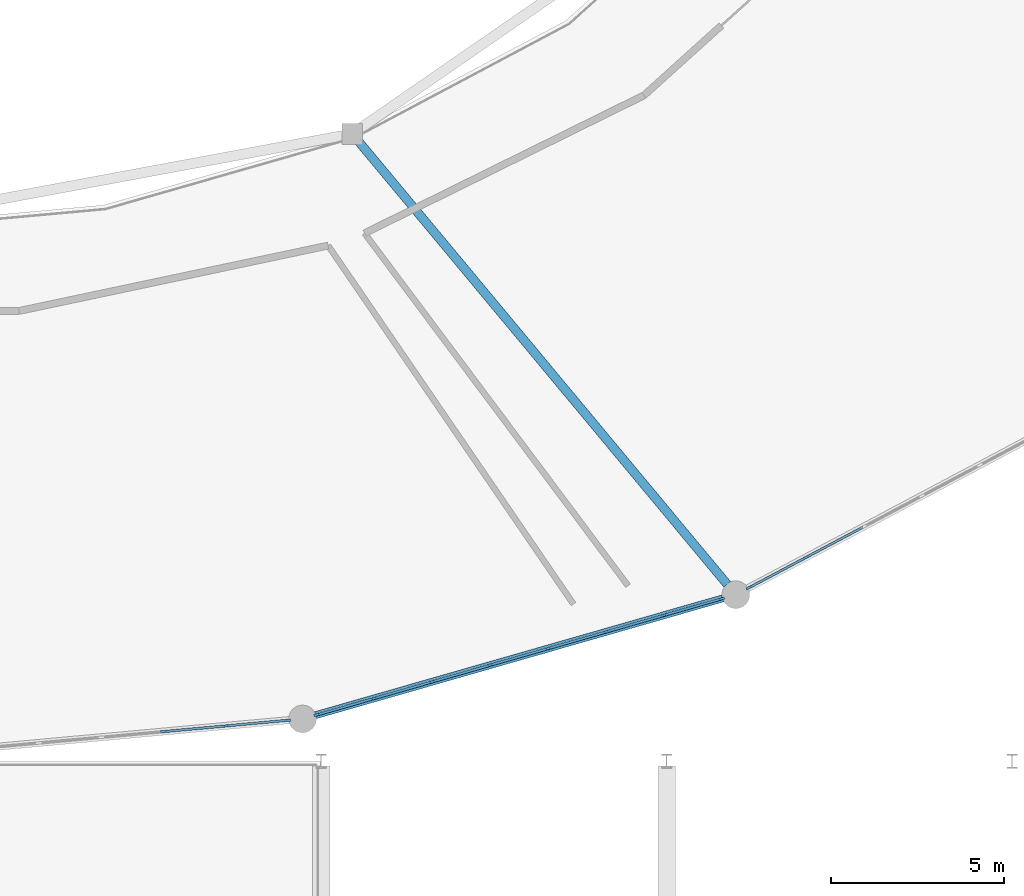
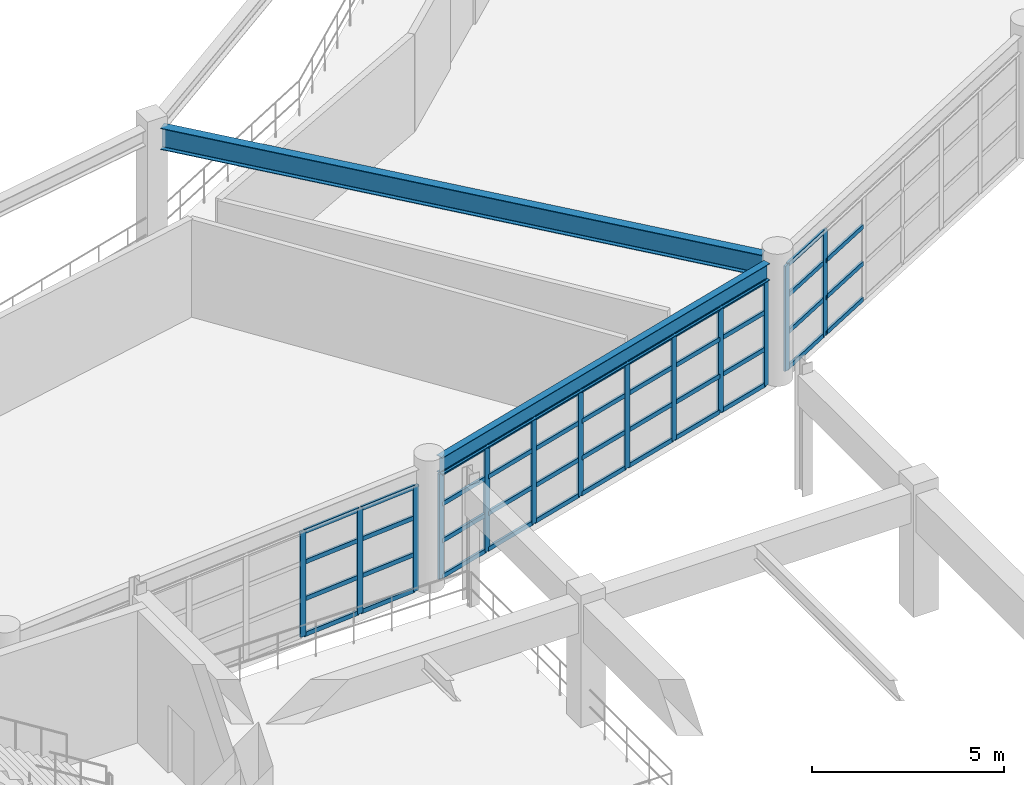
# One storey, part 29 of 100: 56 members, 2 beams, 3 elements without a shape of their own.
"""IFC4 building model written with IfcOpenShell, lengths in metres."""

from ifc_helpers import new_model, si_unit, direction, frame, origin, origin_2d, place, context, subcontext, project, spatial, rectangle, i_section, extrude, material, layer, layer_set, material_profile, profile_set, type_object, element, aggregate, save


model = new_model("IFC4")

# Units and contexts
model_context = context("Model", 3, precision=1e-05, world=origin(), true_north=direction((0.0, 1.0)))
body_context = subcontext(model_context, "Body", "Model", "MODEL_VIEW")
ifc_project = project(units=[si_unit("LENGTHUNIT", "METRE"), si_unit("AREAUNIT", "SQUARE_METRE"), si_unit("VOLUMEUNIT", "CUBIC_METRE"), si_unit("PLANEANGLEUNIT", "RADIAN"), si_unit("MASSUNIT", "GRAM", prefix="KILO")], contexts=[model_context])

# Site, building, storey
site_placement = place(None, origin())
site = spatial("IfcSite", under=ifc_project, at=site_placement, CompositionType="ELEMENT")
building_placement = place(site_placement, origin())
building = spatial("IfcBuilding", under=site, at=building_placement, Name="Kivolera Central Railway Station", CompositionType="ELEMENT")
storey_placement = place(building_placement, frame((0.0, 0.0, 5.39990234375)))
storey = spatial("IfcBuildingStorey", under=building, at=storey_placement, Name="L01", CompositionType="ELEMENT", Elevation=5.39990234375)

# Beams
ifc_material_1 = material(Name="Steel S355", Category="steel")
ifc_material_profile_1 = material_profile(ifc_material_1, i_section(OverallWidth=0.209228515625, OverallDepth=0.533203125, WebThickness=0.010009765625, FlangeThickness=0.015625, FilletRadius=0.0126953125, at=origin_2d()), Name="UB 533x210x92")
ifc_profile_set_1 = profile_set([ifc_material_profile_1], Name="Steel S355")
beam_type_1 = type_object("IfcBeamType", Name="BM-SHD-UB533", PredefinedType="BEAM", material=ifc_profile_set_1)
beam_1_placement = place(storey_placement, frame((77.833984375, 55.333984375, 3.611083984375), z_axis=(0.961238780007, 0.275717260631, 0.0), x_axis=(-0.275717260631, 0.961238780007, 0.0)))
element("IfcBeam", 1, at=beam_1_placement, inside=storey, type_object=beam_type_1, Name="L01 Oval Perimeter Ring Beam 20", PredefinedType="BEAM", context=body_context, shape_type="SweptSolid", body=[
    extrude(i_section(OverallWidth=0.209228515625, OverallDepth=0.533203125, WebThickness=0.010009765625, FlangeThickness=0.015625, FilletRadius=0.0126953125, at=origin_2d()), origin(), (0.0, 0.0, 1.0), 12.266357421875),
])
ifc_material_profile_2 = material_profile(ifc_material_1, i_section(OverallWidth=0.253662109375, OverallDepth=0.68359375, WebThickness=0.012451171875, FlangeThickness=0.01904296875, FilletRadius=0.01513671875, at=origin_2d()), Name="UB 686x254x140")
ifc_profile_set_2 = profile_set([ifc_material_profile_2], Name="Steel S355")
beam_type_2 = type_object("IfcBeamType", Name="BM-SHD-UB686", PredefinedType="BEAM", material=ifc_profile_set_2)
beam_2_placement = place(storey_placement, frame((79.0869140625, 71.93603515625, 3.5361328125), z_axis=(0.639708903431, -0.76861727724, 0.0), x_axis=(0.76861727724, 0.639708903431, 0.0)))
element("IfcBeam", 2, at=beam_2_placement, inside=storey, type_object=beam_type_2, Name="L01 Oval Gallery Radial Girder 11", PredefinedType="BEAM", context=body_context, shape_type="SweptSolid", body=[
    extrude(i_section(OverallWidth=0.253662109375, OverallDepth=0.68359375, WebThickness=0.012451171875, FlangeThickness=0.01904296875, FilletRadius=0.01513671875, at=origin_2d()), origin(), (0.0, 0.0, 1.0), 16.670166015625),
])

# Curtain wall, members
ifc_material_2 = material(Name="Anodised aluminium", Category="aluminium")
ifc_layer_1 = layer(ifc_material_2, 0.179931640625, Name="Anodised aluminium")
ifc_layer_set_1 = layer_set([ifc_layer_1], Name="Anodised aluminium")
curtain_wall_type_1 = type_object("IfcCurtainWallType", Name="CW-SYS-12", PredefinedType="NOTDEFINED", material=ifc_layer_set_1)
curtain_wall_1_placement = place(storey_placement, origin())
curtain_wall_1 = element("IfcCurtainWall", 3, at=curtain_wall_1_placement, inside=storey, type_object=curtain_wall_type_1, Name="L01 Curtain Wall CW-L01-OVL-18", PredefinedType="NOTDEFINED")
ifc_material_profile_3 = material_profile(ifc_material_2, rectangle(XDim=0.070068359375, YDim=0.179931640625, at=origin_2d()), Name="ALU MULL 70x180")
ifc_profile_set_3 = profile_set([ifc_material_profile_3], Name="Anodised aluminium")
member_type_1 = type_object("IfcMemberType", Name="CWM-MUL-1", PredefinedType="MULLION", material=ifc_profile_set_3)
member_1_placement = place(storey_placement, frame((77.026123046875, 55.187744140625, -0.0048828125), z_axis=(0.0, 0.0, 1.0), x_axis=(0.090833556942, -0.995866087852, 0.0)))
member_1 = element("IfcMember", 4, at=member_1_placement, type_object=member_type_1, Name="CW-12 mullion 1", PredefinedType="MULLION", context=body_context, shape_type="SweptSolid", body=[
    extrude(rectangle(XDim=0.070068359375, YDim=0.179931640625, at=origin_2d()), origin(), (0.0, 0.0, 1.0), 3.344970703125),
])
member_2_placement = place(storey_placement, frame((75.251953125, 55.02587890625, -0.0048828125), z_axis=(0.0, 0.0, 1.0), x_axis=(0.090833556942, -0.995866087852, 0.0)))
member_2 = element("IfcMember", 5, at=member_2_placement, type_object=member_type_1, Name="CW-12 mullion 2", PredefinedType="MULLION", context=body_context, shape_type="SweptSolid", body=[
    extrude(rectangle(XDim=0.070068359375, YDim=0.179931640625, at=origin_2d()), origin(), (0.0, 0.0, 1.0), 3.344970703125),
])
member_3_placement = place(storey_placement, frame((73.443115234375, 54.861083984375, -0.0048828125), z_axis=(0.0, 0.0, 1.0), x_axis=(0.090833556942, -0.995866087852, 0.0)))
member_3 = element("IfcMember", 6, at=member_3_placement, type_object=member_type_1, Name="CW-12 mullion 3", PredefinedType="MULLION", context=body_context, shape_type="SweptSolid", body=[
    extrude(rectangle(XDim=0.070068359375, YDim=0.179931640625, at=origin_2d()), origin(), (0.0, 0.0, 1.0), 3.344970703125),
])

ifc_layer_2 = layer(ifc_material_2, 0.179931640625, Name="Anodised aluminium")
ifc_layer_set_2 = layer_set([ifc_layer_2], Name="Anodised aluminium")
curtain_wall_type_2 = type_object("IfcCurtainWallType", Name="CW-SYS-10", PredefinedType="NOTDEFINED", material=ifc_layer_set_2)
curtain_wall_2_placement = place(storey_placement, origin())
curtain_wall_2 = element("IfcCurtainWall", 7, at=curtain_wall_2_placement, inside=storey, type_object=curtain_wall_type_2, Name="L01 Curtain Wall CW-L01-OVL-19", PredefinedType="NOTDEFINED")
member_4_placement = place(storey_placement, frame((89.581298828125, 58.703369140625, -0.0048828125), z_axis=(0.0, 0.0, 1.0), x_axis=(0.27569168989, -0.961246114232, 0.0)))
member_4 = element("IfcMember", 8, at=member_4_placement, type_object=member_type_1, Name="CW-10 mullion 1", PredefinedType="MULLION", context=body_context, shape_type="SweptSolid", body=[
    extrude(rectangle(XDim=0.070068359375, YDim=0.179931640625, at=origin_2d()), origin(), (0.0, 0.0, 1.0), 3.344970703125),
])
member_5_placement = place(storey_placement, frame((87.933349609375, 58.230712890625, -0.0048828125), z_axis=(0.0, 0.0, 1.0), x_axis=(0.27569168989, -0.961246114232, 0.0)))
member_5 = element("IfcMember", 9, at=member_5_placement, type_object=member_type_1, Name="CW-10 mullion 2", PredefinedType="MULLION", context=body_context, shape_type="SweptSolid", body=[
    extrude(rectangle(XDim=0.070068359375, YDim=0.179931640625, at=origin_2d()), origin(), (0.0, 0.0, 1.0), 3.344970703125),
])
member_6_placement = place(storey_placement, frame((86.251953125, 57.74853515625, -0.0048828125), z_axis=(0.0, 0.0, 1.0), x_axis=(0.27569168989, -0.961246114232, 0.0)))
member_6 = element("IfcMember", 10, at=member_6_placement, type_object=member_type_1, Name="CW-10 mullion 3", PredefinedType="MULLION", context=body_context, shape_type="SweptSolid", body=[
    extrude(rectangle(XDim=0.070068359375, YDim=0.179931640625, at=origin_2d()), origin(), (0.0, 0.0, 1.0), 3.344970703125),
])
member_7_placement = place(storey_placement, frame((84.5703125, 57.26611328125, -0.0048828125), z_axis=(0.0, 0.0, 1.0), x_axis=(0.27569168989, -0.961246114232, 0.0)))
member_7 = element("IfcMember", 11, at=member_7_placement, type_object=member_type_1, Name="CW-10 mullion 4", PredefinedType="MULLION", context=body_context, shape_type="SweptSolid", body=[
    extrude(rectangle(XDim=0.070068359375, YDim=0.179931640625, at=origin_2d()), origin(), (0.0, 0.0, 1.0), 3.344970703125),
])
member_8_placement = place(storey_placement, frame((82.888671875, 56.783935546875, -0.0048828125), z_axis=(0.0, 0.0, 1.0), x_axis=(0.27569168989, -0.961246114232, 0.0)))
member_8 = element("IfcMember", 12, at=member_8_placement, type_object=member_type_1, Name="CW-10 mullion 5", PredefinedType="MULLION", context=body_context, shape_type="SweptSolid", body=[
    extrude(rectangle(XDim=0.070068359375, YDim=0.179931640625, at=origin_2d()), origin(), (0.0, 0.0, 1.0), 3.344970703125),
])
member_9_placement = place(storey_placement, frame((81.20703125, 56.301513671875, -0.0048828125), z_axis=(0.0, 0.0, 1.0), x_axis=(0.27569168989, -0.961246114232, 0.0)))
member_9 = element("IfcMember", 13, at=member_9_placement, type_object=member_type_1, Name="CW-10 mullion 6", PredefinedType="MULLION", context=body_context, shape_type="SweptSolid", body=[
    extrude(rectangle(XDim=0.070068359375, YDim=0.179931640625, at=origin_2d()), origin(), (0.0, 0.0, 1.0), 3.344970703125),
])
member_10_placement = place(storey_placement, frame((79.525634765625, 55.8193359375, -0.0048828125), z_axis=(0.0, 0.0, 1.0), x_axis=(0.27569168989, -0.961246114232, 0.0)))
member_10 = element("IfcMember", 14, at=member_10_placement, type_object=member_type_1, Name="CW-10 mullion 7", PredefinedType="MULLION", context=body_context, shape_type="SweptSolid", body=[
    extrude(rectangle(XDim=0.070068359375, YDim=0.179931640625, at=origin_2d()), origin(), (0.0, 0.0, 1.0), 3.344970703125),
])
member_11_placement = place(storey_placement, frame((77.877685546875, 55.3466796875, -0.0048828125), z_axis=(0.0, 0.0, 1.0), x_axis=(0.27569168989, -0.961246114232, 0.0)))
member_11 = element("IfcMember", 15, at=member_11_placement, type_object=member_type_1, Name="CW-10 mullion 8", PredefinedType="MULLION", context=body_context, shape_type="SweptSolid", body=[
    extrude(rectangle(XDim=0.070068359375, YDim=0.179931640625, at=origin_2d()), origin(), (0.0, 0.0, 1.0), 3.344970703125),
])

ifc_layer_3 = layer(ifc_material_2, 0.179931640625, Name="Anodised aluminium")
ifc_layer_set_3 = layer_set([ifc_layer_3], Name="Anodised aluminium")
curtain_wall_type_3 = type_object("IfcCurtainWallType", Name="CW-SYS-08", PredefinedType="NOTDEFINED", material=ifc_layer_set_3)
curtain_wall_3_placement = place(storey_placement, origin())
curtain_wall_3 = element("IfcCurtainWall", 16, at=curtain_wall_3_placement, inside=storey, type_object=curtain_wall_type_3, Name="L01 Curtain Wall CW-L01-OVL-20", PredefinedType="NOTDEFINED")
member_12_placement = place(storey_placement, frame((92.0302734375, 59.90185546875, -0.0048828125), z_axis=(0.0, 0.0, 1.0), x_axis=(0.469052563023, -0.883170251493, 0.0)))
member_12 = element("IfcMember", 17, at=member_12_placement, type_object=member_type_1, Name="CW-08 mullion 6", PredefinedType="MULLION", context=body_context, shape_type="SweptSolid", body=[
    extrude(rectangle(XDim=0.070068359375, YDim=0.179931640625, at=origin_2d()), origin(), (0.0, 0.0, 1.0), 3.344970703125),
])
member_13_placement = place(storey_placement, frame((90.3837890625, 59.02734375, -0.0048828125), z_axis=(0.0, 0.0, 1.0), x_axis=(0.469052563023, -0.883170251493, 0.0)))
member_13 = element("IfcMember", 18, at=member_13_placement, type_object=member_type_1, Name="CW-08 mullion 7", PredefinedType="MULLION", context=body_context, shape_type="SweptSolid", body=[
    extrude(rectangle(XDim=0.070068359375, YDim=0.179931640625, at=origin_2d()), origin(), (0.0, 0.0, 1.0), 3.344970703125),
])

# Member
ifc_material_profile_4 = material_profile(ifc_material_2, rectangle(XDim=0.070068359375, YDim=0.139892578125, at=origin_2d()), Name="ALU TRAN 70x140")
ifc_profile_set_4 = profile_set([ifc_material_profile_4], Name="Anodised aluminium")
member_type_2 = type_object("IfcMemberType", Name="CWM-TRN-1", PredefinedType="USERDEFINED", material=ifc_profile_set_4)
member_14_placement = place(storey_placement, frame((76.9912109375, 55.1845703125, 0.03515625), z_axis=(-0.995875648211, -0.090728679596, 0.0), x_axis=(0.090728679596, -0.995875648211, 0.0)))
member_14 = element("IfcMember", 19, at=member_14_placement, type_object=member_type_2, Name="CW-12 transom 1.1", ObjectType="TRANSOM", PredefinedType="USERDEFINED", context=body_context, shape_type="SweptSolid", body=[
    extrude(rectangle(XDim=0.070068359375, YDim=0.139892578125, at=origin_2d()), origin(), (0.0, 0.0, 1.0), 1.71142578125),
])

member_15_placement = place(storey_placement, frame((76.9912109375, 55.1845703125, 1.169189453125), z_axis=(-0.995875648211, -0.090728679596, 0.0), x_axis=(0.090728679596, -0.995875648211, 0.0)))
member_15 = element("IfcMember", 20, at=member_15_placement, type_object=member_type_2, Name="CW-12 transom 1.2", ObjectType="TRANSOM", PredefinedType="USERDEFINED", context=body_context, shape_type="SweptSolid", body=[
    extrude(rectangle(XDim=0.070068359375, YDim=0.139892578125, at=origin_2d()), origin(), (0.0, 0.0, 1.0), 1.71142578125),
])

member_16_placement = place(storey_placement, frame((76.9912109375, 55.1845703125, 2.338134765625), z_axis=(-0.995875648211, -0.090728679596, 0.0), x_axis=(0.090728679596, -0.995875648211, 0.0)))
member_16 = element("IfcMember", 21, at=member_16_placement, type_object=member_type_2, Name="CW-12 transom 1.3", ObjectType="TRANSOM", PredefinedType="USERDEFINED", context=body_context, shape_type="SweptSolid", body=[
    extrude(rectangle(XDim=0.070068359375, YDim=0.139892578125, at=origin_2d()), origin(), (0.0, 0.0, 1.0), 1.71142578125),
])

member_17_placement = place(storey_placement, frame((76.9912109375, 55.1845703125, 3.30517578125), z_axis=(-0.995875648211, -0.090728679596, 0.0), x_axis=(0.090728679596, -0.995875648211, 0.0)))
member_17 = element("IfcMember", 22, at=member_17_placement, type_object=member_type_2, Name="CW-12 transom 1.4", ObjectType="TRANSOM", PredefinedType="USERDEFINED", context=body_context, shape_type="SweptSolid", body=[
    extrude(rectangle(XDim=0.070068359375, YDim=0.139892578125, at=origin_2d()), origin(), (0.0, 0.0, 1.0), 1.71142578125),
])

member_18_placement = place(storey_placement, frame((75.217041015625, 55.022705078125, 0.03515625), z_axis=(-0.995876001019, -0.090724806943, 0.0), x_axis=(0.090724806943, -0.995876001019, 0.0)))
member_18 = element("IfcMember", 23, at=member_18_placement, type_object=member_type_2, Name="CW-12 transom 2.1", ObjectType="TRANSOM", PredefinedType="USERDEFINED", context=body_context, shape_type="SweptSolid", body=[
    extrude(rectangle(XDim=0.070068359375, YDim=0.139892578125, at=origin_2d()), origin(), (0.0, 0.0, 1.0), 1.74658203125),
])

member_19_placement = place(storey_placement, frame((75.217041015625, 55.022705078125, 1.169189453125), z_axis=(-0.995876001019, -0.090724806943, 0.0), x_axis=(0.090724806943, -0.995876001019, 0.0)))
member_19 = element("IfcMember", 24, at=member_19_placement, type_object=member_type_2, Name="CW-12 transom 2.2", ObjectType="TRANSOM", PredefinedType="USERDEFINED", context=body_context, shape_type="SweptSolid", body=[
    extrude(rectangle(XDim=0.070068359375, YDim=0.139892578125, at=origin_2d()), origin(), (0.0, 0.0, 1.0), 1.74658203125),
])

member_20_placement = place(storey_placement, frame((75.217041015625, 55.022705078125, 2.338134765625), z_axis=(-0.995876001019, -0.090724806943, 0.0), x_axis=(0.090724806943, -0.995876001019, 0.0)))
member_20 = element("IfcMember", 25, at=member_20_placement, type_object=member_type_2, Name="CW-12 transom 2.3", ObjectType="TRANSOM", PredefinedType="USERDEFINED", context=body_context, shape_type="SweptSolid", body=[
    extrude(rectangle(XDim=0.070068359375, YDim=0.139892578125, at=origin_2d()), origin(), (0.0, 0.0, 1.0), 1.74658203125),
])

member_21_placement = place(storey_placement, frame((75.217041015625, 55.022705078125, 3.30517578125), z_axis=(-0.995876001019, -0.090724806943, 0.0), x_axis=(0.090724806943, -0.995876001019, 0.0)))
member_21 = element("IfcMember", 26, at=member_21_placement, type_object=member_type_2, Name="CW-12 transom 2.4", ObjectType="TRANSOM", PredefinedType="USERDEFINED", context=body_context, shape_type="SweptSolid", body=[
    extrude(rectangle(XDim=0.070068359375, YDim=0.139892578125, at=origin_2d()), origin(), (0.0, 0.0, 1.0), 1.74658203125),
])

aggregate(curtain_wall_1, [member_1, member_2, member_3, member_14, member_15, member_16, member_17, member_18, member_19, member_20, member_21])

member_22_placement = place(storey_placement, frame((89.547607421875, 58.693603515625, 0.03515625), z_axis=(-0.961277023143, -0.275583897892, 0.0), x_axis=(0.275583897892, -0.961277023143, 0.0)))
member_22 = element("IfcMember", 27, at=member_22_placement, type_object=member_type_2, Name="CW-10 transom 1.1", ObjectType="TRANSOM", PredefinedType="USERDEFINED", context=body_context, shape_type="SweptSolid", body=[
    extrude(rectangle(XDim=0.070068359375, YDim=0.139892578125, at=origin_2d()), origin(), (0.0, 0.0, 1.0), 1.644287109375),
])

member_23_placement = place(storey_placement, frame((89.547607421875, 58.693603515625, 1.169189453125), z_axis=(-0.961277023143, -0.275583897892, 0.0), x_axis=(0.275583897892, -0.961277023143, 0.0)))
member_23 = element("IfcMember", 28, at=member_23_placement, type_object=member_type_2, Name="CW-10 transom 1.2", ObjectType="TRANSOM", PredefinedType="USERDEFINED", context=body_context, shape_type="SweptSolid", body=[
    extrude(rectangle(XDim=0.070068359375, YDim=0.139892578125, at=origin_2d()), origin(), (0.0, 0.0, 1.0), 1.644287109375),
])

member_24_placement = place(storey_placement, frame((89.547607421875, 58.693603515625, 2.338134765625), z_axis=(-0.961277023143, -0.275583897892, 0.0), x_axis=(0.275583897892, -0.961277023143, 0.0)))
member_24 = element("IfcMember", 29, at=member_24_placement, type_object=member_type_2, Name="CW-10 transom 1.3", ObjectType="TRANSOM", PredefinedType="USERDEFINED", context=body_context, shape_type="SweptSolid", body=[
    extrude(rectangle(XDim=0.070068359375, YDim=0.139892578125, at=origin_2d()), origin(), (0.0, 0.0, 1.0), 1.644287109375),
])

member_25_placement = place(storey_placement, frame((89.547607421875, 58.693603515625, 3.30517578125), z_axis=(-0.961277023143, -0.275583897892, 0.0), x_axis=(0.275583897892, -0.961277023143, 0.0)))
member_25 = element("IfcMember", 30, at=member_25_placement, type_object=member_type_2, Name="CW-10 transom 1.4", ObjectType="TRANSOM", PredefinedType="USERDEFINED", context=body_context, shape_type="SweptSolid", body=[
    extrude(rectangle(XDim=0.070068359375, YDim=0.139892578125, at=origin_2d()), origin(), (0.0, 0.0, 1.0), 1.644287109375),
])

member_26_placement = place(storey_placement, frame((87.89990234375, 58.220947265625, 0.03515625), z_axis=(-0.961271217599, -0.275604147674, 0.0), x_axis=(0.275604147674, -0.961271217599, 0.0)))
member_26 = element("IfcMember", 31, at=member_26_placement, type_object=member_type_2, Name="CW-10 transom 2.1", ObjectType="TRANSOM", PredefinedType="USERDEFINED", context=body_context, shape_type="SweptSolid", body=[
    extrude(rectangle(XDim=0.070068359375, YDim=0.139892578125, at=origin_2d()), origin(), (0.0, 0.0, 1.0), 1.679443359375),
])

member_27_placement = place(storey_placement, frame((87.89990234375, 58.220947265625, 1.169189453125), z_axis=(-0.961271217599, -0.275604147674, 0.0), x_axis=(0.275604147674, -0.961271217599, 0.0)))
member_27 = element("IfcMember", 32, at=member_27_placement, type_object=member_type_2, Name="CW-10 transom 2.2", ObjectType="TRANSOM", PredefinedType="USERDEFINED", context=body_context, shape_type="SweptSolid", body=[
    extrude(rectangle(XDim=0.070068359375, YDim=0.139892578125, at=origin_2d()), origin(), (0.0, 0.0, 1.0), 1.679443359375),
])

member_28_placement = place(storey_placement, frame((87.89990234375, 58.220947265625, 2.338134765625), z_axis=(-0.961271217599, -0.275604147674, 0.0), x_axis=(0.275604147674, -0.961271217599, 0.0)))
member_28 = element("IfcMember", 33, at=member_28_placement, type_object=member_type_2, Name="CW-10 transom 2.3", ObjectType="TRANSOM", PredefinedType="USERDEFINED", context=body_context, shape_type="SweptSolid", body=[
    extrude(rectangle(XDim=0.070068359375, YDim=0.139892578125, at=origin_2d()), origin(), (0.0, 0.0, 1.0), 1.679443359375),
])

member_29_placement = place(storey_placement, frame((87.89990234375, 58.220947265625, 3.30517578125), z_axis=(-0.961271217599, -0.275604147674, 0.0), x_axis=(0.275604147674, -0.961271217599, 0.0)))
member_29 = element("IfcMember", 34, at=member_29_placement, type_object=member_type_2, Name="CW-10 transom 2.4", ObjectType="TRANSOM", PredefinedType="USERDEFINED", context=body_context, shape_type="SweptSolid", body=[
    extrude(rectangle(XDim=0.070068359375, YDim=0.139892578125, at=origin_2d()), origin(), (0.0, 0.0, 1.0), 1.679443359375),
])

member_30_placement = place(storey_placement, frame((86.21826171875, 57.73876953125, 0.03515625), z_axis=(-0.961260174018, -0.27564266333, 0.0), x_axis=(0.27564266333, -0.961260174018, 0.0)))
member_30 = element("IfcMember", 35, at=member_30_placement, type_object=member_type_2, Name="CW-10 transom 3.1", ObjectType="TRANSOM", PredefinedType="USERDEFINED", context=body_context, shape_type="SweptSolid", body=[
    extrude(rectangle(XDim=0.070068359375, YDim=0.139892578125, at=origin_2d()), origin(), (0.0, 0.0, 1.0), 1.67919921875),
])

member_31_placement = place(storey_placement, frame((86.21826171875, 57.73876953125, 1.169189453125), z_axis=(-0.961260174018, -0.27564266333, 0.0), x_axis=(0.27564266333, -0.961260174018, 0.0)))
member_31 = element("IfcMember", 36, at=member_31_placement, type_object=member_type_2, Name="CW-10 transom 3.2", ObjectType="TRANSOM", PredefinedType="USERDEFINED", context=body_context, shape_type="SweptSolid", body=[
    extrude(rectangle(XDim=0.070068359375, YDim=0.139892578125, at=origin_2d()), origin(), (0.0, 0.0, 1.0), 1.67919921875),
])

member_32_placement = place(storey_placement, frame((86.21826171875, 57.73876953125, 2.338134765625), z_axis=(-0.961260174018, -0.27564266333, 0.0), x_axis=(0.27564266333, -0.961260174018, 0.0)))
member_32 = element("IfcMember", 37, at=member_32_placement, type_object=member_type_2, Name="CW-10 transom 3.3", ObjectType="TRANSOM", PredefinedType="USERDEFINED", context=body_context, shape_type="SweptSolid", body=[
    extrude(rectangle(XDim=0.070068359375, YDim=0.139892578125, at=origin_2d()), origin(), (0.0, 0.0, 1.0), 1.67919921875),
])

member_33_placement = place(storey_placement, frame((86.21826171875, 57.73876953125, 3.30517578125), z_axis=(-0.961260174018, -0.27564266333, 0.0), x_axis=(0.27564266333, -0.961260174018, 0.0)))
member_33 = element("IfcMember", 38, at=member_33_placement, type_object=member_type_2, Name="CW-10 transom 3.4", ObjectType="TRANSOM", PredefinedType="USERDEFINED", context=body_context, shape_type="SweptSolid", body=[
    extrude(rectangle(XDim=0.070068359375, YDim=0.139892578125, at=origin_2d()), origin(), (0.0, 0.0, 1.0), 1.67919921875),
])

member_34_placement = place(storey_placement, frame((84.53662109375, 57.256591796875, 0.03515625), z_axis=(-0.961221645359, -0.275776990509, 0.0), x_axis=(0.275776990509, -0.961221645359, 0.0)))
member_34 = element("IfcMember", 39, at=member_34_placement, type_object=member_type_2, Name="CW-10 transom 4.1", ObjectType="TRANSOM", PredefinedType="USERDEFINED", context=body_context, shape_type="SweptSolid", body=[
    extrude(rectangle(XDim=0.070068359375, YDim=0.139892578125, at=origin_2d()), origin(), (0.0, 0.0, 1.0), 1.679443359375),
])

member_35_placement = place(storey_placement, frame((84.53662109375, 57.256591796875, 1.169189453125), z_axis=(-0.961221645359, -0.275776990509, 0.0), x_axis=(0.275776990509, -0.961221645359, 0.0)))
member_35 = element("IfcMember", 40, at=member_35_placement, type_object=member_type_2, Name="CW-10 transom 4.2", ObjectType="TRANSOM", PredefinedType="USERDEFINED", context=body_context, shape_type="SweptSolid", body=[
    extrude(rectangle(XDim=0.070068359375, YDim=0.139892578125, at=origin_2d()), origin(), (0.0, 0.0, 1.0), 1.679443359375),
])

member_36_placement = place(storey_placement, frame((84.53662109375, 57.256591796875, 2.338134765625), z_axis=(-0.961221645359, -0.275776990509, 0.0), x_axis=(0.275776990509, -0.961221645359, 0.0)))
member_36 = element("IfcMember", 41, at=member_36_placement, type_object=member_type_2, Name="CW-10 transom 4.3", ObjectType="TRANSOM", PredefinedType="USERDEFINED", context=body_context, shape_type="SweptSolid", body=[
    extrude(rectangle(XDim=0.070068359375, YDim=0.139892578125, at=origin_2d()), origin(), (0.0, 0.0, 1.0), 1.679443359375),
])

member_37_placement = place(storey_placement, frame((84.53662109375, 57.256591796875, 3.30517578125), z_axis=(-0.961221645359, -0.275776990509, 0.0), x_axis=(0.275776990509, -0.961221645359, 0.0)))
member_37 = element("IfcMember", 42, at=member_37_placement, type_object=member_type_2, Name="CW-10 transom 4.4", ObjectType="TRANSOM", PredefinedType="USERDEFINED", context=body_context, shape_type="SweptSolid", body=[
    extrude(rectangle(XDim=0.070068359375, YDim=0.139892578125, at=origin_2d()), origin(), (0.0, 0.0, 1.0), 1.679443359375),
])

member_38_placement = place(storey_placement, frame((82.85498046875, 56.774169921875, 0.03515625), z_axis=(-0.961260174018, -0.27564266333, 0.0), x_axis=(0.27564266333, -0.961260174018, 0.0)))
member_38 = element("IfcMember", 43, at=member_38_placement, type_object=member_type_2, Name="CW-10 transom 5.1", ObjectType="TRANSOM", PredefinedType="USERDEFINED", context=body_context, shape_type="SweptSolid", body=[
    extrude(rectangle(XDim=0.070068359375, YDim=0.139892578125, at=origin_2d()), origin(), (0.0, 0.0, 1.0), 1.67919921875),
])

member_39_placement = place(storey_placement, frame((82.85498046875, 56.774169921875, 1.169189453125), z_axis=(-0.961260174018, -0.27564266333, 0.0), x_axis=(0.27564266333, -0.961260174018, 0.0)))
member_39 = element("IfcMember", 44, at=member_39_placement, type_object=member_type_2, Name="CW-10 transom 5.2", ObjectType="TRANSOM", PredefinedType="USERDEFINED", context=body_context, shape_type="SweptSolid", body=[
    extrude(rectangle(XDim=0.070068359375, YDim=0.139892578125, at=origin_2d()), origin(), (0.0, 0.0, 1.0), 1.67919921875),
])

member_40_placement = place(storey_placement, frame((82.85498046875, 56.774169921875, 2.338134765625), z_axis=(-0.961260174018, -0.27564266333, 0.0), x_axis=(0.27564266333, -0.961260174018, 0.0)))
member_40 = element("IfcMember", 45, at=member_40_placement, type_object=member_type_2, Name="CW-10 transom 5.3", ObjectType="TRANSOM", PredefinedType="USERDEFINED", context=body_context, shape_type="SweptSolid", body=[
    extrude(rectangle(XDim=0.070068359375, YDim=0.139892578125, at=origin_2d()), origin(), (0.0, 0.0, 1.0), 1.67919921875),
])

member_41_placement = place(storey_placement, frame((82.85498046875, 56.774169921875, 3.30517578125), z_axis=(-0.961260174018, -0.27564266333, 0.0), x_axis=(0.27564266333, -0.961260174018, 0.0)))
member_41 = element("IfcMember", 46, at=member_41_placement, type_object=member_type_2, Name="CW-10 transom 5.4", ObjectType="TRANSOM", PredefinedType="USERDEFINED", context=body_context, shape_type="SweptSolid", body=[
    extrude(rectangle(XDim=0.070068359375, YDim=0.139892578125, at=origin_2d()), origin(), (0.0, 0.0, 1.0), 1.67919921875),
])

member_42_placement = place(storey_placement, frame((81.173583984375, 56.2919921875, 0.03515625), z_axis=(-0.961221645359, -0.275776990509, 0.0), x_axis=(0.275776990509, -0.961221645359, 0.0)))
member_42 = element("IfcMember", 47, at=member_42_placement, type_object=member_type_2, Name="CW-10 transom 6.1", ObjectType="TRANSOM", PredefinedType="USERDEFINED", context=body_context, shape_type="SweptSolid", body=[
    extrude(rectangle(XDim=0.070068359375, YDim=0.139892578125, at=origin_2d()), origin(), (0.0, 0.0, 1.0), 1.679443359375),
])

member_43_placement = place(storey_placement, frame((81.173583984375, 56.2919921875, 1.169189453125), z_axis=(-0.961221645359, -0.275776990509, 0.0), x_axis=(0.275776990509, -0.961221645359, 0.0)))
member_43 = element("IfcMember", 48, at=member_43_placement, type_object=member_type_2, Name="CW-10 transom 6.2", ObjectType="TRANSOM", PredefinedType="USERDEFINED", context=body_context, shape_type="SweptSolid", body=[
    extrude(rectangle(XDim=0.070068359375, YDim=0.139892578125, at=origin_2d()), origin(), (0.0, 0.0, 1.0), 1.679443359375),
])

member_44_placement = place(storey_placement, frame((81.173583984375, 56.2919921875, 2.338134765625), z_axis=(-0.961221645359, -0.275776990509, 0.0), x_axis=(0.275776990509, -0.961221645359, 0.0)))
member_44 = element("IfcMember", 49, at=member_44_placement, type_object=member_type_2, Name="CW-10 transom 6.3", ObjectType="TRANSOM", PredefinedType="USERDEFINED", context=body_context, shape_type="SweptSolid", body=[
    extrude(rectangle(XDim=0.070068359375, YDim=0.139892578125, at=origin_2d()), origin(), (0.0, 0.0, 1.0), 1.679443359375),
])

member_45_placement = place(storey_placement, frame((81.173583984375, 56.2919921875, 3.30517578125), z_axis=(-0.961221645359, -0.275776990509, 0.0), x_axis=(0.275776990509, -0.961221645359, 0.0)))
member_45 = element("IfcMember", 50, at=member_45_placement, type_object=member_type_2, Name="CW-10 transom 6.4", ObjectType="TRANSOM", PredefinedType="USERDEFINED", context=body_context, shape_type="SweptSolid", body=[
    extrude(rectangle(XDim=0.070068359375, YDim=0.139892578125, at=origin_2d()), origin(), (0.0, 0.0, 1.0), 1.679443359375),
])

member_46_placement = place(storey_placement, frame((79.491943359375, 55.8095703125, 0.03515625), z_axis=(-0.961237680042, -0.275721095434, 0.0), x_axis=(0.275721095434, -0.961237680042, 0.0)))
member_46 = element("IfcMember", 51, at=member_46_placement, type_object=member_type_2, Name="CW-10 transom 7.1", ObjectType="TRANSOM", PredefinedType="USERDEFINED", context=body_context, shape_type="SweptSolid", body=[
    extrude(rectangle(XDim=0.070068359375, YDim=0.139892578125, at=origin_2d()), origin(), (0.0, 0.0, 1.0), 1.644287109375),
])

member_47_placement = place(storey_placement, frame((79.491943359375, 55.8095703125, 1.169189453125), z_axis=(-0.961237680042, -0.275721095434, 0.0), x_axis=(0.275721095434, -0.961237680042, 0.0)))
member_47 = element("IfcMember", 52, at=member_47_placement, type_object=member_type_2, Name="CW-10 transom 7.2", ObjectType="TRANSOM", PredefinedType="USERDEFINED", context=body_context, shape_type="SweptSolid", body=[
    extrude(rectangle(XDim=0.070068359375, YDim=0.139892578125, at=origin_2d()), origin(), (0.0, 0.0, 1.0), 1.644287109375),
])

member_48_placement = place(storey_placement, frame((79.491943359375, 55.8095703125, 2.338134765625), z_axis=(-0.961237680042, -0.275721095434, 0.0), x_axis=(0.275721095434, -0.961237680042, 0.0)))
member_48 = element("IfcMember", 53, at=member_48_placement, type_object=member_type_2, Name="CW-10 transom 7.3", ObjectType="TRANSOM", PredefinedType="USERDEFINED", context=body_context, shape_type="SweptSolid", body=[
    extrude(rectangle(XDim=0.070068359375, YDim=0.139892578125, at=origin_2d()), origin(), (0.0, 0.0, 1.0), 1.644287109375),
])

member_49_placement = place(storey_placement, frame((79.491943359375, 55.8095703125, 3.30517578125), z_axis=(-0.961237680042, -0.275721095434, 0.0), x_axis=(0.275721095434, -0.961237680042, 0.0)))
member_49 = element("IfcMember", 54, at=member_49_placement, type_object=member_type_2, Name="CW-10 transom 7.4", ObjectType="TRANSOM", PredefinedType="USERDEFINED", context=body_context, shape_type="SweptSolid", body=[
    extrude(rectangle(XDim=0.070068359375, YDim=0.139892578125, at=origin_2d()), origin(), (0.0, 0.0, 1.0), 1.644287109375),
])

aggregate(curtain_wall_2, [member_4, member_5, member_6, member_7, member_8, member_9, member_10, member_11, member_22, member_23, member_24, member_25, member_26, member_27, member_28, member_29, member_30, member_31, member_32, member_33, member_34, member_35, member_36, member_37, member_38, member_39, member_40, member_41, member_42, member_43, member_44, member_45, member_46, member_47, member_48, member_49])

member_50_placement = place(storey_placement, frame((93.6767578125, 60.7763671875, 0.03515625), z_axis=(-0.883131271136, -0.469125951042, 0.0), x_axis=(0.469125951042, -0.883131271136, 0.0)))
member_50 = element("IfcMember", 55, at=member_50_placement, type_object=member_type_2, Name="CW-08 transom 5.1", ObjectType="TRANSOM", PredefinedType="USERDEFINED", context=body_context, shape_type="SweptSolid", body=[
    extrude(rectangle(XDim=0.070068359375, YDim=0.139892578125, at=origin_2d()), origin(), (0.0, 0.0, 1.0), 1.829345703125),
])

member_51_placement = place(storey_placement, frame((93.6767578125, 60.7763671875, 1.169189453125), z_axis=(-0.883131271136, -0.469125951042, 0.0), x_axis=(0.469125951042, -0.883131271136, 0.0)))
member_51 = element("IfcMember", 56, at=member_51_placement, type_object=member_type_2, Name="CW-08 transom 5.2", ObjectType="TRANSOM", PredefinedType="USERDEFINED", context=body_context, shape_type="SweptSolid", body=[
    extrude(rectangle(XDim=0.070068359375, YDim=0.139892578125, at=origin_2d()), origin(), (0.0, 0.0, 1.0), 1.829345703125),
])

member_52_placement = place(storey_placement, frame((93.6767578125, 60.7763671875, 2.338134765625), z_axis=(-0.883131271136, -0.469125951042, 0.0), x_axis=(0.469125951042, -0.883131271136, 0.0)))
member_52 = element("IfcMember", 57, at=member_52_placement, type_object=member_type_2, Name="CW-08 transom 5.3", ObjectType="TRANSOM", PredefinedType="USERDEFINED", context=body_context, shape_type="SweptSolid", body=[
    extrude(rectangle(XDim=0.070068359375, YDim=0.139892578125, at=origin_2d()), origin(), (0.0, 0.0, 1.0), 1.829345703125),
])

member_53_placement = place(storey_placement, frame((91.99951171875, 59.885498046875, 0.03515625), z_axis=(-0.883191460259, -0.469012627255, 0.0), x_axis=(0.469012627255, -0.883191460259, 0.0)))
member_53 = element("IfcMember", 58, at=member_53_placement, type_object=member_type_2, Name="CW-08 transom 6.1", ObjectType="TRANSOM", PredefinedType="USERDEFINED", context=body_context, shape_type="SweptSolid", body=[
    extrude(rectangle(XDim=0.070068359375, YDim=0.139892578125, at=origin_2d()), origin(), (0.0, 0.0, 1.0), 1.794189453125),
])

member_54_placement = place(storey_placement, frame((91.99951171875, 59.885498046875, 1.169189453125), z_axis=(-0.883191460259, -0.469012627255, 0.0), x_axis=(0.469012627255, -0.883191460259, 0.0)))
member_54 = element("IfcMember", 59, at=member_54_placement, type_object=member_type_2, Name="CW-08 transom 6.2", ObjectType="TRANSOM", PredefinedType="USERDEFINED", context=body_context, shape_type="SweptSolid", body=[
    extrude(rectangle(XDim=0.070068359375, YDim=0.139892578125, at=origin_2d()), origin(), (0.0, 0.0, 1.0), 1.794189453125),
])

member_55_placement = place(storey_placement, frame((91.99951171875, 59.885498046875, 2.338134765625), z_axis=(-0.883191460259, -0.469012627255, 0.0), x_axis=(0.469012627255, -0.883191460259, 0.0)))
member_55 = element("IfcMember", 60, at=member_55_placement, type_object=member_type_2, Name="CW-08 transom 6.3", ObjectType="TRANSOM", PredefinedType="USERDEFINED", context=body_context, shape_type="SweptSolid", body=[
    extrude(rectangle(XDim=0.070068359375, YDim=0.139892578125, at=origin_2d()), origin(), (0.0, 0.0, 1.0), 1.794189453125),
])

member_56_placement = place(storey_placement, frame((91.99951171875, 59.885498046875, 3.30517578125), z_axis=(-0.883191460259, -0.469012627255, 0.0), x_axis=(0.469012627255, -0.883191460259, 0.0)))
member_56 = element("IfcMember", 61, at=member_56_placement, type_object=member_type_2, Name="CW-08 transom 6.4", ObjectType="TRANSOM", PredefinedType="USERDEFINED", context=body_context, shape_type="SweptSolid", body=[
    extrude(rectangle(XDim=0.070068359375, YDim=0.139892578125, at=origin_2d()), origin(), (0.0, 0.0, 1.0), 1.794189453125),
])

aggregate(curtain_wall_3, [member_12, member_13, member_50, member_51, member_52, member_53, member_54, member_55, member_56])

save(model, "model.ifc")
